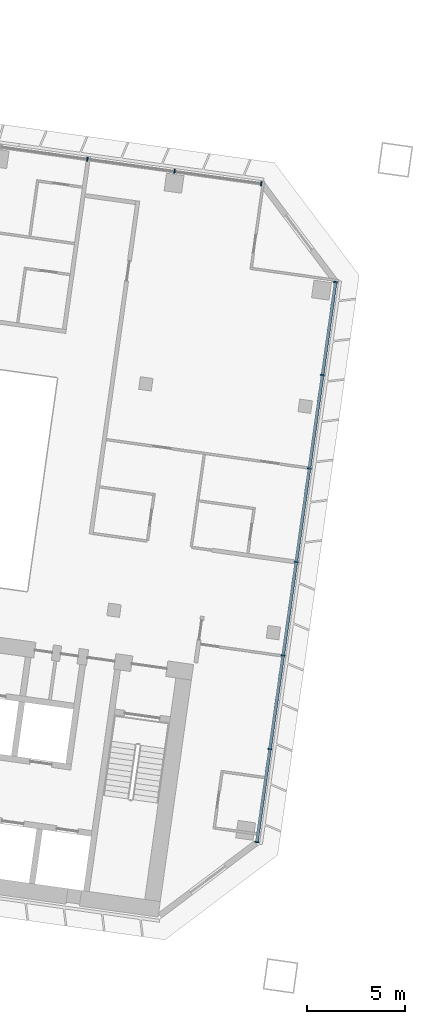
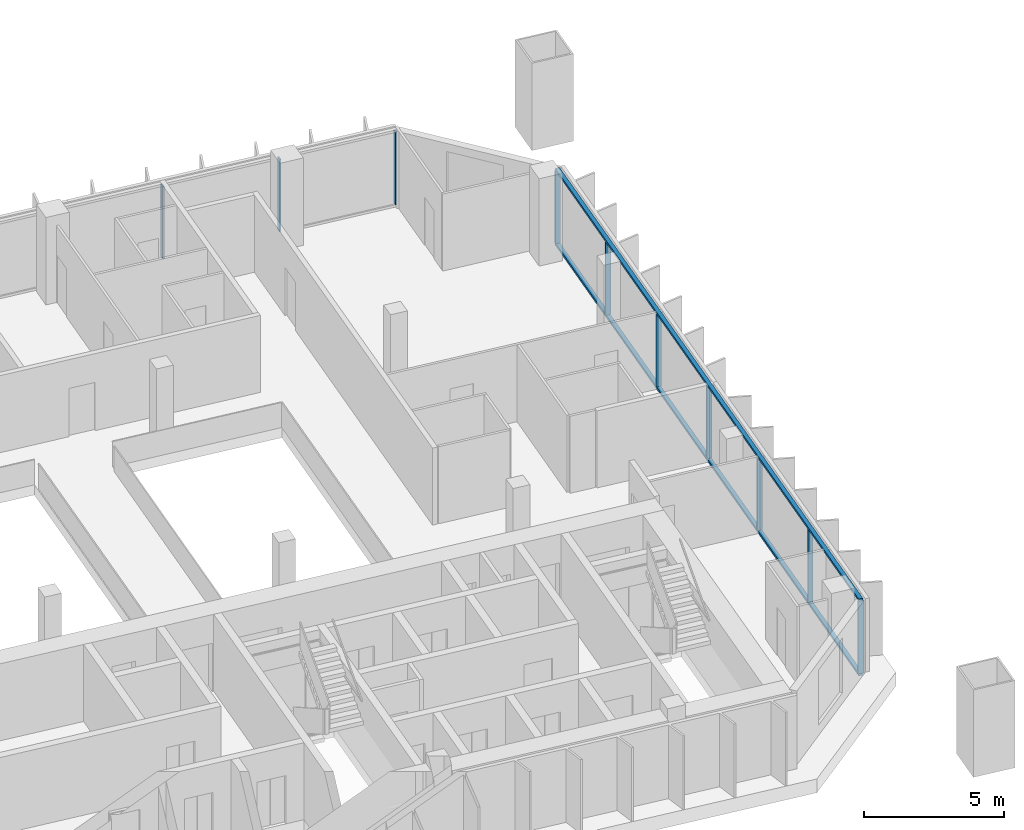
# One storey, part 6 of 25: 12 members, 2 elements without a shape of their own.
"""IFC4 building model written with IfcOpenShell, lengths in metres."""

from ifc_helpers import new_model, si_unit, direction, frame, origin, origin_2d, place, context, subcontext, project, spatial, rectangle, extrude, material, material_profile, profile_set, type_object, element, aggregate, save


model = new_model("IFC4")

# Units and contexts
model_context = context("Model", 3, precision=1e-05, world=origin(), true_north=direction((0.0, 1.0)))
body_context = subcontext(model_context, "Body", "Model", "MODEL_VIEW")
ifc_project = project(units=[si_unit("LENGTHUNIT", "METRE"), si_unit("AREAUNIT", "SQUARE_METRE"), si_unit("VOLUMEUNIT", "CUBIC_METRE"), si_unit("PLANEANGLEUNIT", "RADIAN"), si_unit("MASSUNIT", "GRAM", prefix="KILO")], contexts=[model_context])

# Site, building, storey
site_placement = place(None, origin())
site = spatial("IfcSite", under=ifc_project, at=site_placement, CompositionType="ELEMENT")
building_placement = place(site_placement, origin())
building = spatial("IfcBuilding", under=site, at=building_placement, Name="Mirante Cascada Hotel Towers", CompositionType="ELEMENT")
storey_placement = place(building_placement, frame((0.0, 0.0, 102.5)))
storey = spatial("IfcBuildingStorey", under=building, at=storey_placement, Name="L22", CompositionType="ELEMENT", Elevation=102.5)

# Curtain wall, members
ifc_material_1 = material(Name="Aluminium mullion and transom frame with clear laminated glass", Category="aluminium")
curtain_wall_type_1 = type_object("IfcCurtainWallType", Name="Ribbon curtain wall ECW1", PredefinedType="NOTDEFINED", material=ifc_material_1)
curtain_wall_1_placement = place(storey_placement, origin())
curtain_wall_1 = element("IfcCurtainWall", 1, at=curtain_wall_1_placement, inside=storey, type_object=curtain_wall_type_1, Name="Front ribbon wall T1 L22", PredefinedType="NOTDEFINED")
ifc_material_2 = material(Name="Anodised aluminium extrusion", Category="aluminium")
ifc_material_profile_1 = material_profile(ifc_material_2, rectangle(XDim=0.2, YDim=0.065, at=origin_2d()), Name="ECW1 MULLION 65x200")
ifc_profile_set_1 = profile_set([ifc_material_profile_1], Name="Anodised aluminium extrusion")
member_type_1 = type_object("IfcMemberType", Name="ECW1 mullion 65x200", PredefinedType="MULLION", material=ifc_profile_set_1)
member_1_placement = place(storey_placement, frame((-40.7892, 18.5516, 0.1), z_axis=(0.0, 0.0, 1.0), x_axis=(0.1391731, 0.9902681, 0.0)))
member_1 = element("IfcMember", 2, at=member_1_placement, type_object=member_type_1, Name="ECW1 mullion 13", PredefinedType="MULLION", context=body_context, shape_type="SweptSolid", body=[
    extrude(rectangle(XDim=0.2, YDim=0.065, at=origin_2d()), origin(), (0.0, 0.0, 1.0), 3.15),
])
member_2_placement = place(storey_placement, frame((-36.3417, 17.9265, 0.1), z_axis=(0.0, 0.0, 1.0), x_axis=(0.1391731, 0.9902681, 0.0)))
member_2 = element("IfcMember", 3, at=member_2_placement, type_object=member_type_1, Name="ECW1 mullion 14", PredefinedType="MULLION", context=body_context, shape_type="SweptSolid", body=[
    extrude(rectangle(XDim=0.2, YDim=0.065, at=origin_2d()), origin(), (0.0, 0.0, 1.0), 3.15),
])
member_3_placement = place(storey_placement, frame((-31.9265, 17.306, 0.1), z_axis=(0.0, 0.0, 1.0), x_axis=(0.1391731, 0.9902681, 0.0)))
member_3 = element("IfcMember", 4, at=member_3_placement, type_object=member_type_1, Name="ECW1 mullion 15", PredefinedType="MULLION", context=body_context, shape_type="SweptSolid", body=[
    extrude(rectangle(XDim=0.2, YDim=0.065, at=origin_2d()), origin(), (0.0, 0.0, 1.0), 3.15),
])
aggregate(curtain_wall_1, [member_1, member_2, member_3])

ifc_material_3 = material(Name="Aluminium mullion and transom frame with clear laminated glass", Category="aluminium")
curtain_wall_type_2 = type_object("IfcCurtainWallType", Name="End ribbon curtain wall ECW2", PredefinedType="NOTDEFINED", material=ifc_material_3)
curtain_wall_2_placement = place(storey_placement, origin())
curtain_wall_2 = element("IfcCurtainWall", 5, at=curtain_wall_2_placement, inside=storey, type_object=curtain_wall_type_2, Name="Inner end wall T1 L22", PredefinedType="NOTDEFINED")
ifc_material_4 = material(Name="Anodised aluminium extrusion", Category="aluminium")
ifc_material_profile_2 = material_profile(ifc_material_4, rectangle(XDim=0.2, YDim=0.065, at=origin_2d()), Name="ECW2 MULLION 65x200")
ifc_profile_set_2 = profile_set([ifc_material_profile_2], Name="Anodised aluminium extrusion")
member_type_2 = type_object("IfcMemberType", Name="ECW2 mullion 65x200", PredefinedType="MULLION", material=ifc_profile_set_2)
member_4_placement = place(storey_placement, frame((-28.1437, 12.2861, 0.1), z_axis=(0.0, 0.0, 1.0), x_axis=(0.9902681, -0.1391731, 0.0)))
member_4 = element("IfcMember", 6, at=member_4_placement, type_object=member_type_2, Name="ECW2 mullion 1", PredefinedType="MULLION", context=body_context, shape_type="SweptSolid", body=[
    extrude(rectangle(XDim=0.2, YDim=0.065, at=origin_2d()), origin(), (0.0, 0.0, 1.0), 3.15),
])
member_5_placement = place(storey_placement, frame((-28.809, 7.5524, 0.1), z_axis=(0.0, 0.0, 1.0), x_axis=(0.9902681, -0.1391731, 0.0)))
member_5 = element("IfcMember", 7, at=member_5_placement, type_object=member_type_2, Name="ECW2 mullion 2", PredefinedType="MULLION", context=body_context, shape_type="SweptSolid", body=[
    extrude(rectangle(XDim=0.2, YDim=0.065, at=origin_2d()), origin(), (0.0, 0.0, 1.0), 3.15),
])
member_6_placement = place(storey_placement, frame((-29.4788, 2.7867, 0.1), z_axis=(0.0, 0.0, 1.0), x_axis=(0.9902681, -0.1391731, 0.0)))
member_6 = element("IfcMember", 8, at=member_6_placement, type_object=member_type_2, Name="ECW2 mullion 3", PredefinedType="MULLION", context=body_context, shape_type="SweptSolid", body=[
    extrude(rectangle(XDim=0.2, YDim=0.065, at=origin_2d()), origin(), (0.0, 0.0, 1.0), 3.15),
])
member_7_placement = place(storey_placement, frame((-30.1485, -1.9791, 0.1), z_axis=(0.0, 0.0, 1.0), x_axis=(0.9902681, -0.1391731, 0.0)))
member_7 = element("IfcMember", 9, at=member_7_placement, type_object=member_type_2, Name="ECW2 mullion 4", PredefinedType="MULLION", context=body_context, shape_type="SweptSolid", body=[
    extrude(rectangle(XDim=0.2, YDim=0.065, at=origin_2d()), origin(), (0.0, 0.0, 1.0), 3.15),
])
member_8_placement = place(storey_placement, frame((-30.8183, -6.7449, 0.1), z_axis=(0.0, 0.0, 1.0), x_axis=(0.9902681, -0.1391731, 0.0)))
member_8 = element("IfcMember", 10, at=member_8_placement, type_object=member_type_2, Name="ECW2 mullion 5", PredefinedType="MULLION", context=body_context, shape_type="SweptSolid", body=[
    extrude(rectangle(XDim=0.2, YDim=0.065, at=origin_2d()), origin(), (0.0, 0.0, 1.0), 3.15),
])
member_9_placement = place(storey_placement, frame((-31.4881, -11.5107, 0.1), z_axis=(0.0, 0.0, 1.0), x_axis=(0.9902681, -0.1391731, 0.0)))
member_9 = element("IfcMember", 11, at=member_9_placement, type_object=member_type_2, Name="ECW2 mullion 6", PredefinedType="MULLION", context=body_context, shape_type="SweptSolid", body=[
    extrude(rectangle(XDim=0.2, YDim=0.065, at=origin_2d()), origin(), (0.0, 0.0, 1.0), 3.15),
])
member_10_placement = place(storey_placement, frame((-32.1534, -16.2443, 0.1), z_axis=(0.0, 0.0, 1.0), x_axis=(0.9902681, -0.1391731, 0.0)))
member_10 = element("IfcMember", 12, at=member_10_placement, type_object=member_type_2, Name="ECW2 mullion 7", PredefinedType="MULLION", context=body_context, shape_type="SweptSolid", body=[
    extrude(rectangle(XDim=0.2, YDim=0.065, at=origin_2d()), origin(), (0.0, 0.0, 1.0), 3.15),
])
ifc_material_5 = material(Name="Anodised aluminium extrusion", Category="aluminium")
ifc_material_profile_3 = material_profile(ifc_material_5, rectangle(XDim=0.16, YDim=0.1, at=origin_2d()), Name="ECW2 TRANSOM 100x160")
ifc_profile_set_3 = profile_set([ifc_material_profile_3], Name="Anodised aluminium extrusion")
member_type_3 = type_object("IfcMemberType", Name="ECW2 transom 100x160", PredefinedType="USERDEFINED", material=ifc_profile_set_3)
member_11_placement = place(storey_placement, frame((-28.1392, 12.3182, 0.05), z_axis=(-0.1391723, -0.9902682, 0.0), x_axis=(0.9902682, -0.1391723, 0.0)))
member_11 = element("IfcMember", 13, at=member_11_placement, type_object=member_type_3, Name="ECW2 sill transom", ObjectType="TRANSOM", PredefinedType="USERDEFINED", context=body_context, shape_type="SweptSolid", body=[
    extrude(rectangle(XDim=0.16, YDim=0.1, at=origin_2d()), origin(), (0.0, 0.0, 1.0), 28.8757),
])
member_12_placement = place(storey_placement, frame((-28.1392, 12.3182, 3.3), z_axis=(-0.1391723, -0.9902682, 0.0), x_axis=(0.9902682, -0.1391723, 0.0)))
member_12 = element("IfcMember", 14, at=member_12_placement, type_object=member_type_3, Name="ECW2 head transom", ObjectType="TRANSOM", PredefinedType="USERDEFINED", context=body_context, shape_type="SweptSolid", body=[
    extrude(rectangle(XDim=0.16, YDim=0.1, at=origin_2d()), origin(), (0.0, 0.0, 1.0), 28.8757),
])
aggregate(curtain_wall_2, [member_11, member_12, member_4, member_5, member_6, member_7, member_8, member_9, member_10])

save(model, "model.ifc")
